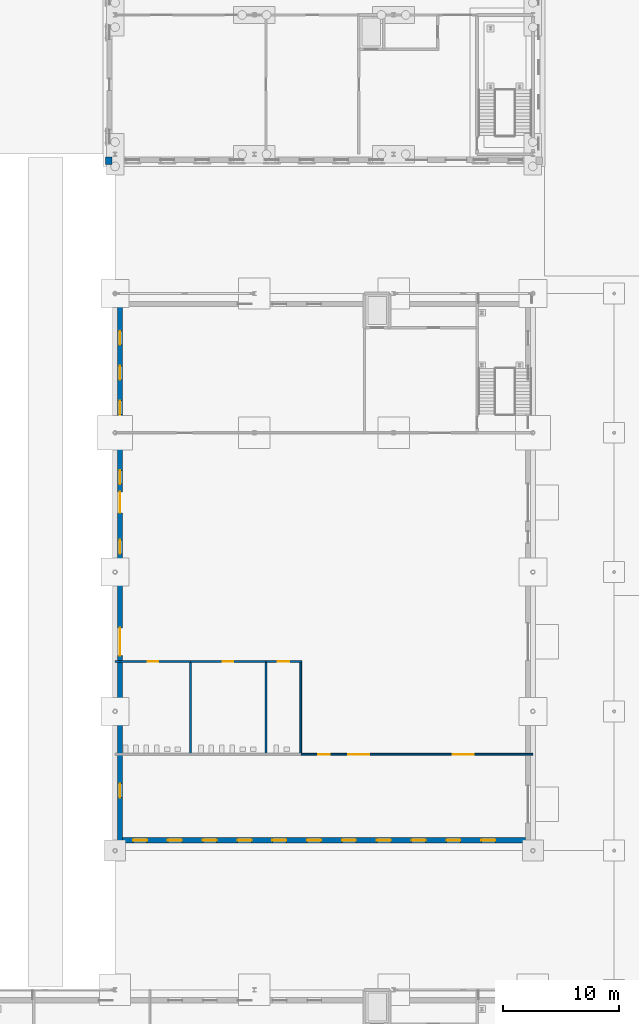
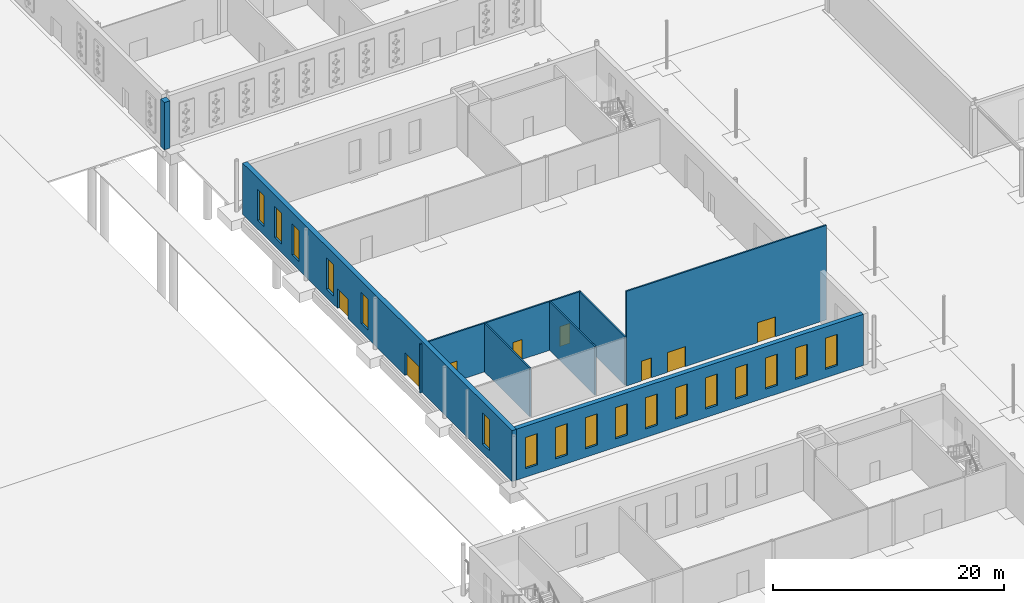
# One storey, part 77 of 132: 17 windows, 10 walls, 8 doors, 25 openings.
"""IFC4 building model written with IfcOpenShell, lengths in metres."""

from ifc_helpers import new_model, si_unit, direction, frame, frame_2d, origin, place, context, subcontext, project, spatial, rectangle, extrude, material, layer, layer_set, type_object, element, fill, save


model = new_model("IFC4")

# Units and contexts
model_context = context("Model", 3, precision=1e-05, world=origin(), true_north=direction((0.0, 1.0)))
body_context = subcontext(model_context, "Body", "Model", "MODEL_VIEW")
ifc_project = project(units=[si_unit("LENGTHUNIT", "METRE"), si_unit("AREAUNIT", "SQUARE_METRE"), si_unit("VOLUMEUNIT", "CUBIC_METRE"), si_unit("PLANEANGLEUNIT", "RADIAN"), si_unit("MASSUNIT", "GRAM", prefix="KILO")], contexts=[model_context])

# Site, building, storey
site_placement = place(None, origin())
site = spatial("IfcSite", under=ifc_project, at=site_placement, CompositionType="ELEMENT")
building_placement = place(site_placement, origin())
building = spatial("IfcBuilding", under=site, at=building_placement, Name="Ravi Spectrum Wholesale Market", CompositionType="ELEMENT")
storey_placement = place(building_placement, origin())
storey = spatial("IfcBuildingStorey", under=building, at=storey_placement, Name="L00", CompositionType="ELEMENT", Elevation=0.0)

# Wall, openings, doors
ifc_material_1 = material(Name="Concrete blockwork", Category="masonry")
ifc_layer_1 = layer(ifc_material_1, 0.14990234375)
ifc_layer_set_1 = layer_set([ifc_layer_1], Name="Concrete blockwork")
wall_type_1 = type_object("IfcWallType", Name="Blockwork partition 150", PredefinedType="PARTITIONING", material=ifc_layer_set_1)
wall_1_placement = place(storey_placement, frame((178.0, 146.300048828125, 0.0), z_axis=(0.0, 0.0, 1.0), x_axis=(1.0, 0.0, 0.0)))
wall_1 = element("IfcWall", 1, at=wall_1_placement, inside=storey, type_object=wall_type_1, Name="H3-WL-L00-008", PredefinedType="PARTITIONING", context=body_context, shape_type="SweptSolid", body=[
    extrude(rectangle(XDim=20.0, YDim=0.14990234375, at=frame_2d((10.0, 0.0))), origin(), (0.0, 0.0, 1.0), 10.0),
])
opening_1_placement = place(wall_1_placement, frame((4.10009765625, 0.0, 0.0)))
opening_1 = element("IfcOpeningElement", 2, at=opening_1_placement, cuts=wall_1, Name="Opening D353", PredefinedType="OPENING", context=body_context, shape_type="SweptSolid", body=[
    extrude(rectangle(XDim=1.800048828125, YDim=2.10009765625, at=frame_2d((0.89990234375, 1.050048828125))), frame((0.0, 0.0849609375, 0.0), z_axis=(0.0, -1.0, 0.0), x_axis=(1.0, 0.0, 0.0)), (0.0, 0.0, 1.0), 0.169921875),
])
opening_2_placement = place(wall_1_placement, frame((13.10009765625, 0.0, 0.0)))
opening_2 = element("IfcOpeningElement", 3, at=opening_2_placement, cuts=wall_1, Name="Opening D354", PredefinedType="OPENING", context=body_context, shape_type="SweptSolid", body=[
    extrude(rectangle(XDim=1.800048828125, YDim=2.10009765625, at=frame_2d((0.89990234375, 1.050048828125))), frame((0.0, 0.0849609375, 0.0), z_axis=(0.0, -1.0, 0.0), x_axis=(1.0, 0.0, 0.0)), (0.0, 0.0, 1.0), 0.169921875),
])
opening_3_placement = place(wall_1_placement, frame((1.5, 0.0, 0.0)))
opening_3 = element("IfcOpeningElement", 4, at=opening_3_placement, cuts=wall_1, Name="Opening D356", PredefinedType="OPENING", context=body_context, shape_type="SweptSolid", body=[
    extrude(rectangle(XDim=1.0, YDim=2.10009765625, at=frame_2d((0.5, 1.050048828125))), frame((0.0, 0.0849609375, 0.0), z_axis=(0.0, -1.0, 0.0), x_axis=(1.0, 0.0, 0.0)), (0.0, 0.0, 1.0), 0.169921875),
])
ifc_material_2 = material(Name="Steel door", Category="steel")
door_type_1 = type_object("IfcDoorType", Name="Double leaf door 1800 x 2100", OperationType="DOUBLE_DOOR_SINGLE_SWING", PredefinedType="DOOR", material=ifc_material_2)
door_1_placement = place(opening_1_placement, origin())
door_1 = element("IfcDoor", 5, at=door_1_placement, inside=storey, type_object=door_type_1, Name="Door D353", OperationType="DOUBLE_DOOR_SINGLE_SWING", OverallHeight=2.10009765625, OverallWidth=1.800048828125, PredefinedType="DOOR", context=body_context, shape_type="SweptSolid", body=[
    extrude(rectangle(XDim=1.800048828125, YDim=2.10009765625, at=frame_2d((0.89990234375, 1.050048828125))), frame((0.0, 0.02490234375, 0.0), z_axis=(0.0, -1.0, 0.0), x_axis=(1.0, 0.0, 0.0)), (0.0, 0.0, 1.0), 0.050048828125),
])
fill(opening_1, door_1)
door_2_placement = place(opening_2_placement, origin())
door_2 = element("IfcDoor", 6, at=door_2_placement, inside=storey, type_object=door_type_1, Name="Door D354", OperationType="DOUBLE_DOOR_SINGLE_SWING", OverallHeight=2.10009765625, OverallWidth=1.800048828125, PredefinedType="DOOR", context=body_context, shape_type="SweptSolid", body=[
    extrude(rectangle(XDim=1.800048828125, YDim=2.10009765625, at=frame_2d((0.89990234375, 1.050048828125))), frame((0.0, 0.02490234375, 0.0), z_axis=(0.0, -1.0, 0.0), x_axis=(1.0, 0.0, 0.0)), (0.0, 0.0, 1.0), 0.050048828125),
])
fill(opening_2, door_2)
ifc_material_3 = material(Name="Steel door", Category="steel")
door_type_2 = type_object("IfcDoorType", Name="Pedestrian exit door 1000 x 2100", OperationType="SINGLE_SWING_LEFT", PredefinedType="DOOR", material=ifc_material_3)
door_3_placement = place(opening_3_placement, origin())
door_3 = element("IfcDoor", 7, at=door_3_placement, inside=storey, type_object=door_type_2, Name="Door D356", OperationType="SINGLE_SWING_LEFT", OverallHeight=2.10009765625, OverallWidth=1.0, PredefinedType="DOOR", context=body_context, shape_type="SweptSolid", body=[
    extrude(rectangle(XDim=1.0, YDim=2.10009765625, at=frame_2d((0.5, 1.050048828125))), frame((0.0, 0.02490234375, 0.0), z_axis=(0.0, -1.0, 0.0), x_axis=(1.0, 0.0, 0.0)), (0.0, 0.0, 1.0), 0.050048828125),
])
fill(opening_3, door_3)

# Wall, opening, door
wall_2_placement = place(storey_placement, frame((162.0, 154.300048828125, 0.0), z_axis=(0.0, 0.0, 1.0), x_axis=(1.0, 0.0, 0.0)))
wall_2 = element("IfcWall", 8, at=wall_2_placement, inside=storey, type_object=wall_type_1, Name="H3-WL-L00-009", PredefinedType="PARTITIONING", context=body_context, shape_type="SweptSolid", body=[
    extrude(rectangle(XDim=6.5, YDim=0.14990234375, at=frame_2d((3.25, 0.0))), origin(), (0.0, 0.0, 1.0), 5.14990234375),
])
opening_4_placement = place(wall_2_placement, frame((2.800048828125, 0.0, 0.0)))
opening_4 = element("IfcOpeningElement", 9, at=opening_4_placement, cuts=wall_2, Name="Opening D350", PredefinedType="OPENING", context=body_context, shape_type="SweptSolid", body=[
    extrude(rectangle(XDim=0.89990234375, YDim=2.10009765625, at=frame_2d((0.449951171875, 1.050048828125))), frame((0.0, 0.0849609375, 0.0), z_axis=(0.0, -1.0, 0.0), x_axis=(1.0, 0.0, 0.0)), (0.0, 0.0, 1.0), 0.169921875),
])
ifc_material_4 = material(Name="Timber door", Category="wood")
door_type_3 = type_object("IfcDoorType", Name="Toilet door 900 x 2100", OperationType="SINGLE_SWING_LEFT", PredefinedType="DOOR", material=ifc_material_4)
door_4_placement = place(opening_4_placement, origin())
door_4 = element("IfcDoor", 10, at=door_4_placement, inside=storey, type_object=door_type_3, Name="Door D350", OperationType="SINGLE_SWING_RIGHT", OverallHeight=2.10009765625, OverallWidth=0.89990234375, PredefinedType="DOOR", context=body_context, shape_type="SweptSolid", body=[
    extrude(rectangle(XDim=0.89990234375, YDim=2.10009765625, at=frame_2d((0.449951171875, 1.050048828125))), frame((0.0, 0.02490234375, 0.0), z_axis=(0.0, -1.0, 0.0), x_axis=(1.0, 0.0, 0.0)), (0.0, 0.0, 1.0), 0.050048828125),
])
fill(opening_4, door_4)

wall_3_placement = place(storey_placement, frame((168.5, 154.300048828125, 0.0), z_axis=(0.0, 0.0, 1.0), x_axis=(1.0, 0.0, 0.0)))
wall_3 = element("IfcWall", 11, at=wall_3_placement, inside=storey, type_object=wall_type_1, Name="H3-WL-L00-010", PredefinedType="PARTITIONING", context=body_context, shape_type="SweptSolid", body=[
    extrude(rectangle(XDim=6.5, YDim=0.14990234375, at=frame_2d((3.25, 0.0))), origin(), (0.0, 0.0, 1.0), 5.14990234375),
])
opening_5_placement = place(wall_3_placement, frame((2.800048828125, 0.0, 0.0)))
opening_5 = element("IfcOpeningElement", 12, at=opening_5_placement, cuts=wall_3, Name="Opening D351", PredefinedType="OPENING", context=body_context, shape_type="SweptSolid", body=[
    extrude(rectangle(XDim=0.89990234375, YDim=2.10009765625, at=frame_2d((0.449951171875, 1.050048828125))), frame((0.0, 0.0849609375, 0.0), z_axis=(0.0, -1.0, 0.0), x_axis=(1.0, 0.0, 0.0)), (0.0, 0.0, 1.0), 0.169921875),
])
door_5_placement = place(opening_5_placement, origin())
door_5 = element("IfcDoor", 13, at=door_5_placement, inside=storey, type_object=door_type_3, Name="Door D351", OperationType="SINGLE_SWING_LEFT", OverallHeight=2.10009765625, OverallWidth=0.89990234375, PredefinedType="DOOR", context=body_context, shape_type="SweptSolid", body=[
    extrude(rectangle(XDim=0.89990234375, YDim=2.10009765625, at=frame_2d((0.449951171875, 1.050048828125))), frame((0.0, 0.02490234375, 0.0), z_axis=(0.0, -1.0, 0.0), x_axis=(1.0, 0.0, 0.0)), (0.0, 0.0, 1.0), 0.050048828125),
])
fill(opening_5, door_5)

wall_4_placement = place(storey_placement, frame((175.0, 154.300048828125, 0.0), z_axis=(0.0, 0.0, 1.0), x_axis=(1.0, 0.0, 0.0)))
wall_4 = element("IfcWall", 14, at=wall_4_placement, inside=storey, type_object=wall_type_1, Name="H3-WL-L00-011", PredefinedType="PARTITIONING", context=body_context, shape_type="SweptSolid", body=[
    extrude(rectangle(XDim=3.074951171875, YDim=0.14990234375, at=frame_2d((1.53759765625, 0.0))), origin(), (0.0, 0.0, 1.0), 5.14990234375),
])
opening_6_placement = place(wall_4_placement, frame((1.0, 0.0, 0.0)))
opening_6 = element("IfcOpeningElement", 15, at=opening_6_placement, cuts=wall_4, Name="Opening D352", PredefinedType="OPENING", context=body_context, shape_type="SweptSolid", body=[
    extrude(rectangle(XDim=1.0, YDim=2.10009765625, at=frame_2d((0.5, 1.050048828125))), frame((0.0, 0.0849609375, 0.0), z_axis=(0.0, -1.0, 0.0), x_axis=(1.0, 0.0, 0.0)), (0.0, 0.0, 1.0), 0.169921875),
])
ifc_material_5 = material(Name="Timber door", Category="wood")
door_type_4 = type_object("IfcDoorType", Name="Accessible toilet door 1000 x 2100", OperationType="SINGLE_SWING_LEFT", PredefinedType="DOOR", material=ifc_material_5)
door_6_placement = place(opening_6_placement, origin())
door_6 = element("IfcDoor", 16, at=door_6_placement, inside=storey, type_object=door_type_4, Name="Door D352", OperationType="SINGLE_SWING_LEFT", OverallHeight=2.10009765625, OverallWidth=1.0, PredefinedType="DOOR", context=body_context, shape_type="SweptSolid", body=[
    extrude(rectangle(XDim=1.0, YDim=2.10009765625, at=frame_2d((0.5, 1.050048828125))), frame((0.0, 0.02490234375, 0.0), z_axis=(0.0, -1.0, 0.0), x_axis=(1.0, 0.0, 0.0)), (0.0, 0.0, 1.0), 0.050048828125),
])
fill(opening_6, door_6)

# Walls
for number, where, z_axis, x_axis, name in (
    (17, (168.5, 146.375, 0.0), (0.0, 0.0, 1.0), (0.0, 1.0, 0.0), "H3-WL-L00-016"),
    (18, (175.0, 146.375, 0.0), (0.0, 0.0, 1.0), (0.0, 1.0, 0.0), "H3-WL-L00-017"),
    (19, (178.0, 146.375, 0.0), (0.0, 0.0, 1.0), (0.0, 1.0, 0.0), "H3-WL-L00-018"),
):
    element("IfcWall", number, at=place(storey_placement, frame(where, z_axis=z_axis, x_axis=x_axis)), inside=storey, type_object=wall_type_1, Name=name, PredefinedType="PARTITIONING", context=body_context, shape_type="SweptSolid", body=[
        extrude(rectangle(XDim=7.85009765625, YDim=0.14990234375, at=frame_2d((3.925048828125, 0.0))), origin(), (0.0, 0.0, 1.0), 5.14990234375),
    ])

# Wall, openings, windows
ifc_material_6 = material(Name="Clinker brickwork", Category="masonry")
ifc_layer_2 = layer(ifc_material_6, 0.4599609375)
ifc_layer_set_2 = layer_set([ifc_layer_2], Name="Clinker brickwork")
wall_type_2 = type_object("IfcWallType", Name="Brick 460 pier wall", PredefinedType="SOLIDWALL", material=ifc_layer_set_2)
wall_5_placement = place(storey_placement, frame((162.65771484375, 138.89990234375, 0.0), z_axis=(0.0, 0.0, 1.0), x_axis=(1.0, 0.0, 0.0)))
wall_5 = element("IfcWall", 20, at=wall_5_placement, inside=storey, type_object=wall_type_2, Name="Flower Hall south wall", PredefinedType="SOLIDWALL", context=body_context, shape_type="SweptSolid", body=[
    extrude(rectangle(XDim=34.6845703125, YDim=0.4599609375, at=frame_2d((17.34228515625, 0.0))), origin(), (0.0, 0.0, 1.0), 5.39990234375),
])
opening_7_placement = place(wall_5_placement, frame((0.89990234375, 0.0, 0.89990234375)))
opening_7 = element("IfcOpeningElement", 21, at=opening_7_placement, cuts=wall_5, Name="Opening W2215", PredefinedType="OPENING", context=body_context, shape_type="SweptSolid", body=[
    extrude(rectangle(XDim=1.199951171875, YDim=3.300048828125, at=frame_2d((0.60009765625, 1.64990234375))), frame((0.0, 0.239990234375, 0.0), z_axis=(0.0, -1.0, 0.0), x_axis=(1.0, 0.0, 0.0)), (0.0, 0.0, 1.0), 0.47998046875),
])
opening_8_placement = place(wall_5_placement, frame((3.89990234375, 0.0, 0.89990234375)))
opening_8 = element("IfcOpeningElement", 22, at=opening_8_placement, cuts=wall_5, Name="Opening W2216", PredefinedType="OPENING", context=body_context, shape_type="SweptSolid", body=[
    extrude(rectangle(XDim=1.199951171875, YDim=3.300048828125, at=frame_2d((0.60009765625, 1.64990234375))), frame((0.0, 0.239990234375, 0.0), z_axis=(0.0, -1.0, 0.0), x_axis=(1.0, 0.0, 0.0)), (0.0, 0.0, 1.0), 0.47998046875),
])
opening_9_placement = place(wall_5_placement, frame((6.89990234375, 0.0, 0.89990234375)))
opening_9 = element("IfcOpeningElement", 23, at=opening_9_placement, cuts=wall_5, Name="Opening W2217", PredefinedType="OPENING", context=body_context, shape_type="SweptSolid", body=[
    extrude(rectangle(XDim=1.199951171875, YDim=3.300048828125, at=frame_2d((0.60009765625, 1.64990234375))), frame((0.0, 0.239990234375, 0.0), z_axis=(0.0, -1.0, 0.0), x_axis=(1.0, 0.0, 0.0)), (0.0, 0.0, 1.0), 0.47998046875),
])
opening_10_placement = place(wall_5_placement, frame((9.89990234375, 0.0, 0.89990234375)))
opening_10 = element("IfcOpeningElement", 24, at=opening_10_placement, cuts=wall_5, Name="Opening W2218", PredefinedType="OPENING", context=body_context, shape_type="SweptSolid", body=[
    extrude(rectangle(XDim=1.199951171875, YDim=3.300048828125, at=frame_2d((0.60009765625, 1.64990234375))), frame((0.0, 0.239990234375, 0.0), z_axis=(0.0, -1.0, 0.0), x_axis=(1.0, 0.0, 0.0)), (0.0, 0.0, 1.0), 0.47998046875),
])
opening_11_placement = place(wall_5_placement, frame((12.89990234375, 0.0, 0.89990234375)))
opening_11 = element("IfcOpeningElement", 25, at=opening_11_placement, cuts=wall_5, Name="Opening W2219", PredefinedType="OPENING", context=body_context, shape_type="SweptSolid", body=[
    extrude(rectangle(XDim=1.199951171875, YDim=3.300048828125, at=frame_2d((0.60009765625, 1.64990234375))), frame((0.0, 0.239990234375, 0.0), z_axis=(0.0, -1.0, 0.0), x_axis=(1.0, 0.0, 0.0)), (0.0, 0.0, 1.0), 0.47998046875),
])
opening_12_placement = place(wall_5_placement, frame((15.89990234375, 0.0, 0.89990234375)))
opening_12 = element("IfcOpeningElement", 26, at=opening_12_placement, cuts=wall_5, Name="Opening W2220", PredefinedType="OPENING", context=body_context, shape_type="SweptSolid", body=[
    extrude(rectangle(XDim=1.199951171875, YDim=3.300048828125, at=frame_2d((0.60009765625, 1.64990234375))), frame((0.0, 0.239990234375, 0.0), z_axis=(0.0, -1.0, 0.0), x_axis=(1.0, 0.0, 0.0)), (0.0, 0.0, 1.0), 0.47998046875),
])
opening_13_placement = place(wall_5_placement, frame((18.89990234375, 0.0, 0.89990234375)))
opening_13 = element("IfcOpeningElement", 27, at=opening_13_placement, cuts=wall_5, Name="Opening W2221", PredefinedType="OPENING", context=body_context, shape_type="SweptSolid", body=[
    extrude(rectangle(XDim=1.199951171875, YDim=3.300048828125, at=frame_2d((0.60009765625, 1.64990234375))), frame((0.0, 0.239990234375, 0.0), z_axis=(0.0, -1.0, 0.0), x_axis=(1.0, 0.0, 0.0)), (0.0, 0.0, 1.0), 0.47998046875),
])
opening_14_placement = place(wall_5_placement, frame((21.89990234375, 0.0, 0.89990234375)))
opening_14 = element("IfcOpeningElement", 28, at=opening_14_placement, cuts=wall_5, Name="Opening W2222", PredefinedType="OPENING", context=body_context, shape_type="SweptSolid", body=[
    extrude(rectangle(XDim=1.199951171875, YDim=3.300048828125, at=frame_2d((0.60009765625, 1.64990234375))), frame((0.0, 0.239990234375, 0.0), z_axis=(0.0, -1.0, 0.0), x_axis=(1.0, 0.0, 0.0)), (0.0, 0.0, 1.0), 0.47998046875),
])
opening_15_placement = place(wall_5_placement, frame((24.89990234375, 0.0, 0.89990234375)))
opening_15 = element("IfcOpeningElement", 29, at=opening_15_placement, cuts=wall_5, Name="Opening W2223", PredefinedType="OPENING", context=body_context, shape_type="SweptSolid", body=[
    extrude(rectangle(XDim=1.199951171875, YDim=3.300048828125, at=frame_2d((0.60009765625, 1.64990234375))), frame((0.0, 0.239990234375, 0.0), z_axis=(0.0, -1.0, 0.0), x_axis=(1.0, 0.0, 0.0)), (0.0, 0.0, 1.0), 0.47998046875),
])
opening_16_placement = place(wall_5_placement, frame((27.89990234375, 0.0, 0.89990234375)))
opening_16 = element("IfcOpeningElement", 30, at=opening_16_placement, cuts=wall_5, Name="Opening W2224", PredefinedType="OPENING", context=body_context, shape_type="SweptSolid", body=[
    extrude(rectangle(XDim=1.199951171875, YDim=3.300048828125, at=frame_2d((0.60009765625, 1.64990234375))), frame((0.0, 0.239990234375, 0.0), z_axis=(0.0, -1.0, 0.0), x_axis=(1.0, 0.0, 0.0)), (0.0, 0.0, 1.0), 0.47998046875),
])
opening_17_placement = place(wall_5_placement, frame((30.89990234375, 0.0, 0.89990234375)))
opening_17 = element("IfcOpeningElement", 31, at=opening_17_placement, cuts=wall_5, Name="Opening W2225", PredefinedType="OPENING", context=body_context, shape_type="SweptSolid", body=[
    extrude(rectangle(XDim=1.199951171875, YDim=3.300048828125, at=frame_2d((0.60009765625, 1.64990234375))), frame((0.0, 0.239990234375, 0.0), z_axis=(0.0, -1.0, 0.0), x_axis=(1.0, 0.0, 0.0)), (0.0, 0.0, 1.0), 0.47998046875),
])
ifc_material_7 = material(Name="Steel window frame", Category="steel")
window_type = type_object("IfcWindowType", Name="Tall pier window 1200 x 3300", PartitioningType="SINGLE_PANEL", PredefinedType="WINDOW", material=ifc_material_7)
window_1_placement = place(opening_7_placement, origin())
window_1 = element("IfcWindow", 32, at=window_1_placement, inside=storey, type_object=window_type, Name="Window W2215", OverallHeight=3.300048828125, OverallWidth=1.199951171875, PartitioningType="SINGLE_PANEL", PredefinedType="WINDOW", context=body_context, shape_type="SweptSolid", body=[
    extrude(rectangle(XDim=1.199951171875, YDim=3.300048828125, at=frame_2d((0.60009765625, 1.64990234375))), frame((0.0, 0.030029296875, 0.0), z_axis=(0.0, -1.0, 0.0), x_axis=(1.0, 0.0, 0.0)), (0.0, 0.0, 1.0), 0.06005859375),
])
fill(opening_7, window_1)
window_2_placement = place(opening_8_placement, origin())
window_2 = element("IfcWindow", 33, at=window_2_placement, inside=storey, type_object=window_type, Name="Window W2216", OverallHeight=3.300048828125, OverallWidth=1.199951171875, PartitioningType="SINGLE_PANEL", PredefinedType="WINDOW", context=body_context, shape_type="SweptSolid", body=[
    extrude(rectangle(XDim=1.199951171875, YDim=3.300048828125, at=frame_2d((0.60009765625, 1.64990234375))), frame((0.0, 0.030029296875, 0.0), z_axis=(0.0, -1.0, 0.0), x_axis=(1.0, 0.0, 0.0)), (0.0, 0.0, 1.0), 0.06005859375),
])
fill(opening_8, window_2)
window_3_placement = place(opening_9_placement, origin())
window_3 = element("IfcWindow", 34, at=window_3_placement, inside=storey, type_object=window_type, Name="Window W2217", OverallHeight=3.300048828125, OverallWidth=1.199951171875, PartitioningType="SINGLE_PANEL", PredefinedType="WINDOW", context=body_context, shape_type="SweptSolid", body=[
    extrude(rectangle(XDim=1.199951171875, YDim=3.300048828125, at=frame_2d((0.60009765625, 1.64990234375))), frame((0.0, 0.030029296875, 0.0), z_axis=(0.0, -1.0, 0.0), x_axis=(1.0, 0.0, 0.0)), (0.0, 0.0, 1.0), 0.06005859375),
])
fill(opening_9, window_3)
window_4_placement = place(opening_10_placement, origin())
window_4 = element("IfcWindow", 35, at=window_4_placement, inside=storey, type_object=window_type, Name="Window W2218", OverallHeight=3.300048828125, OverallWidth=1.199951171875, PartitioningType="SINGLE_PANEL", PredefinedType="WINDOW", context=body_context, shape_type="SweptSolid", body=[
    extrude(rectangle(XDim=1.199951171875, YDim=3.300048828125, at=frame_2d((0.60009765625, 1.64990234375))), frame((0.0, 0.030029296875, 0.0), z_axis=(0.0, -1.0, 0.0), x_axis=(1.0, 0.0, 0.0)), (0.0, 0.0, 1.0), 0.06005859375),
])
fill(opening_10, window_4)
window_5_placement = place(opening_11_placement, origin())
window_5 = element("IfcWindow", 36, at=window_5_placement, inside=storey, type_object=window_type, Name="Window W2219", OverallHeight=3.300048828125, OverallWidth=1.199951171875, PartitioningType="SINGLE_PANEL", PredefinedType="WINDOW", context=body_context, shape_type="SweptSolid", body=[
    extrude(rectangle(XDim=1.199951171875, YDim=3.300048828125, at=frame_2d((0.60009765625, 1.64990234375))), frame((0.0, 0.030029296875, 0.0), z_axis=(0.0, -1.0, 0.0), x_axis=(1.0, 0.0, 0.0)), (0.0, 0.0, 1.0), 0.06005859375),
])
fill(opening_11, window_5)
window_6_placement = place(opening_12_placement, origin())
window_6 = element("IfcWindow", 37, at=window_6_placement, inside=storey, type_object=window_type, Name="Window W2220", OverallHeight=3.300048828125, OverallWidth=1.199951171875, PartitioningType="SINGLE_PANEL", PredefinedType="WINDOW", context=body_context, shape_type="SweptSolid", body=[
    extrude(rectangle(XDim=1.199951171875, YDim=3.300048828125, at=frame_2d((0.60009765625, 1.64990234375))), frame((0.0, 0.030029296875, 0.0), z_axis=(0.0, -1.0, 0.0), x_axis=(1.0, 0.0, 0.0)), (0.0, 0.0, 1.0), 0.06005859375),
])
fill(opening_12, window_6)
window_7_placement = place(opening_13_placement, origin())
window_7 = element("IfcWindow", 38, at=window_7_placement, inside=storey, type_object=window_type, Name="Window W2221", OverallHeight=3.300048828125, OverallWidth=1.199951171875, PartitioningType="SINGLE_PANEL", PredefinedType="WINDOW", context=body_context, shape_type="SweptSolid", body=[
    extrude(rectangle(XDim=1.199951171875, YDim=3.300048828125, at=frame_2d((0.60009765625, 1.64990234375))), frame((0.0, 0.030029296875, 0.0), z_axis=(0.0, -1.0, 0.0), x_axis=(1.0, 0.0, 0.0)), (0.0, 0.0, 1.0), 0.06005859375),
])
fill(opening_13, window_7)
window_8_placement = place(opening_14_placement, origin())
window_8 = element("IfcWindow", 39, at=window_8_placement, inside=storey, type_object=window_type, Name="Window W2222", OverallHeight=3.300048828125, OverallWidth=1.199951171875, PartitioningType="SINGLE_PANEL", PredefinedType="WINDOW", context=body_context, shape_type="SweptSolid", body=[
    extrude(rectangle(XDim=1.199951171875, YDim=3.300048828125, at=frame_2d((0.60009765625, 1.64990234375))), frame((0.0, 0.030029296875, 0.0), z_axis=(0.0, -1.0, 0.0), x_axis=(1.0, 0.0, 0.0)), (0.0, 0.0, 1.0), 0.06005859375),
])
fill(opening_14, window_8)
window_9_placement = place(opening_15_placement, origin())
window_9 = element("IfcWindow", 40, at=window_9_placement, inside=storey, type_object=window_type, Name="Window W2223", OverallHeight=3.300048828125, OverallWidth=1.199951171875, PartitioningType="SINGLE_PANEL", PredefinedType="WINDOW", context=body_context, shape_type="SweptSolid", body=[
    extrude(rectangle(XDim=1.199951171875, YDim=3.300048828125, at=frame_2d((0.60009765625, 1.64990234375))), frame((0.0, 0.030029296875, 0.0), z_axis=(0.0, -1.0, 0.0), x_axis=(1.0, 0.0, 0.0)), (0.0, 0.0, 1.0), 0.06005859375),
])
fill(opening_15, window_9)
window_10_placement = place(opening_16_placement, origin())
window_10 = element("IfcWindow", 41, at=window_10_placement, inside=storey, type_object=window_type, Name="Window W2224", OverallHeight=3.300048828125, OverallWidth=1.199951171875, PartitioningType="SINGLE_PANEL", PredefinedType="WINDOW", context=body_context, shape_type="SweptSolid", body=[
    extrude(rectangle(XDim=1.199951171875, YDim=3.300048828125, at=frame_2d((0.60009765625, 1.64990234375))), frame((0.0, 0.030029296875, 0.0), z_axis=(0.0, -1.0, 0.0), x_axis=(1.0, 0.0, 0.0)), (0.0, 0.0, 1.0), 0.06005859375),
])
fill(opening_16, window_10)
window_11_placement = place(opening_17_placement, origin())
window_11 = element("IfcWindow", 42, at=window_11_placement, inside=storey, type_object=window_type, Name="Window W2225", OverallHeight=3.300048828125, OverallWidth=1.199951171875, PartitioningType="SINGLE_PANEL", PredefinedType="WINDOW", context=body_context, shape_type="SweptSolid", body=[
    extrude(rectangle(XDim=1.199951171875, YDim=3.300048828125, at=frame_2d((0.60009765625, 1.64990234375))), frame((0.0, 0.030029296875, 0.0), z_axis=(0.0, -1.0, 0.0), x_axis=(1.0, 0.0, 0.0)), (0.0, 0.0, 1.0), 0.06005859375),
])
fill(opening_17, window_11)

# Wall, openings, doors, windows
wall_6_placement = place(storey_placement, frame((162.427734375, 138.669921875, 0.0), z_axis=(0.0, 0.0, 1.0), x_axis=(0.0, 1.0, 0.0)))
wall_6 = element("IfcWall", 43, at=wall_6_placement, inside=storey, type_object=wall_type_2, Name="Flower Hall west wall", PredefinedType="SOLIDWALL", context=body_context, shape_type="SweptSolid", body=[
    extrude(rectangle(XDim=46.66015625, YDim=0.4599609375, at=frame_2d((23.330078125, 0.0))), origin(), (0.0, 0.0, 1.0), 5.39990234375),
])
opening_18_placement = place(wall_6_placement, frame((16.1298828125, 0.0, 0.0)))
opening_18 = element("IfcOpeningElement", 44, at=opening_18_placement, cuts=wall_6, Name="Opening D365", PredefinedType="OPENING", context=body_context, shape_type="SweptSolid", body=[
    extrude(rectangle(XDim=2.39990234375, YDim=2.39990234375, at=frame_2d((1.199951171875, 1.199951171875))), frame((0.0, 0.239990234375, 0.0), z_axis=(0.0, -1.0, 0.0), x_axis=(1.0, 0.0, 0.0)), (0.0, 0.0, 1.0), 0.47998046875),
])
opening_19_placement = place(wall_6_placement, frame((28.429931640625, 0.0, 0.0)))
opening_19 = element("IfcOpeningElement", 45, at=opening_19_placement, cuts=wall_6, Name="Opening D366", PredefinedType="OPENING", context=body_context, shape_type="SweptSolid", body=[
    extrude(rectangle(XDim=1.800048828125, YDim=2.10009765625, at=frame_2d((0.89990234375, 1.050048828125))), frame((0.0, 0.239990234375, 0.0), z_axis=(0.0, -1.0, 0.0), x_axis=(1.0, 0.0, 0.0)), (0.0, 0.0, 1.0), 0.47998046875),
])
opening_20_placement = place(wall_6_placement, frame((3.89990234375, 0.0, 0.89990234375)))
opening_20 = element("IfcOpeningElement", 46, at=opening_20_placement, cuts=wall_6, Name="Opening W2201", PredefinedType="OPENING", context=body_context, shape_type="SweptSolid", body=[
    extrude(rectangle(XDim=1.199951171875, YDim=3.300048828125, at=frame_2d((0.60009765625, 1.64990234375))), frame((0.0, 0.239990234375, 0.0), z_axis=(0.0, -1.0, 0.0), x_axis=(1.0, 0.0, 0.0)), (0.0, 0.0, 1.0), 0.47998046875),
])
opening_21_placement = place(wall_6_placement, frame((24.89990234375, 0.0, 0.89990234375)))
opening_21 = element("IfcOpeningElement", 47, at=opening_21_placement, cuts=wall_6, Name="Opening W2205", PredefinedType="OPENING", context=body_context, shape_type="SweptSolid", body=[
    extrude(rectangle(XDim=1.199951171875, YDim=3.300048828125, at=frame_2d((0.60009765625, 1.64990234375))), frame((0.0, 0.239990234375, 0.0), z_axis=(0.0, -1.0, 0.0), x_axis=(1.0, 0.0, 0.0)), (0.0, 0.0, 1.0), 0.47998046875),
])
opening_22_placement = place(wall_6_placement, frame((30.89990234375, 0.0, 0.89990234375)))
opening_22 = element("IfcOpeningElement", 48, at=opening_22_placement, cuts=wall_6, Name="Opening W2206", PredefinedType="OPENING", context=body_context, shape_type="SweptSolid", body=[
    extrude(rectangle(XDim=1.199951171875, YDim=3.300048828125, at=frame_2d((0.60009765625, 1.64990234375))), frame((0.0, 0.239990234375, 0.0), z_axis=(0.0, -1.0, 0.0), x_axis=(1.0, 0.0, 0.0)), (0.0, 0.0, 1.0), 0.47998046875),
])
opening_23_placement = place(wall_6_placement, frame((36.89990234375, 0.0, 0.89990234375)))
opening_23 = element("IfcOpeningElement", 49, at=opening_23_placement, cuts=wall_6, Name="Opening W2207", PredefinedType="OPENING", context=body_context, shape_type="SweptSolid", body=[
    extrude(rectangle(XDim=1.199951171875, YDim=3.300048828125, at=frame_2d((0.60009765625, 1.64990234375))), frame((0.0, 0.239990234375, 0.0), z_axis=(0.0, -1.0, 0.0), x_axis=(1.0, 0.0, 0.0)), (0.0, 0.0, 1.0), 0.47998046875),
])
opening_24_placement = place(wall_6_placement, frame((39.89990234375, 0.0, 0.89990234375)))
opening_24 = element("IfcOpeningElement", 50, at=opening_24_placement, cuts=wall_6, Name="Opening W2208", PredefinedType="OPENING", context=body_context, shape_type="SweptSolid", body=[
    extrude(rectangle(XDim=1.199951171875, YDim=3.300048828125, at=frame_2d((0.60009765625, 1.64990234375))), frame((0.0, 0.239990234375, 0.0), z_axis=(0.0, -1.0, 0.0), x_axis=(1.0, 0.0, 0.0)), (0.0, 0.0, 1.0), 0.47998046875),
])
opening_25_placement = place(wall_6_placement, frame((42.89990234375, 0.0, 0.89990234375)))
opening_25 = element("IfcOpeningElement", 51, at=opening_25_placement, cuts=wall_6, Name="Opening W2209", PredefinedType="OPENING", context=body_context, shape_type="SweptSolid", body=[
    extrude(rectangle(XDim=1.199951171875, YDim=3.300048828125, at=frame_2d((0.60009765625, 1.64990234375))), frame((0.0, 0.239990234375, 0.0), z_axis=(0.0, -1.0, 0.0), x_axis=(1.0, 0.0, 0.0)), (0.0, 0.0, 1.0), 0.47998046875),
])
door_7_placement = place(opening_19_placement, origin())
door_7 = element("IfcDoor", 52, at=door_7_placement, inside=storey, type_object=door_type_1, Name="Door D366", OperationType="DOUBLE_DOOR_SINGLE_SWING", OverallHeight=2.10009765625, OverallWidth=1.800048828125, PredefinedType="DOOR", context=body_context, shape_type="SweptSolid", body=[
    extrude(rectangle(XDim=1.800048828125, YDim=2.10009765625, at=frame_2d((0.89990234375, 1.050048828125))), frame((0.0, 0.02490234375, 0.0), z_axis=(0.0, -1.0, 0.0), x_axis=(1.0, 0.0, 0.0)), (0.0, 0.0, 1.0), 0.050048828125),
])
fill(opening_19, door_7)
ifc_material_8 = material(Name="Aluminium glazed door", Category="aluminium")
door_type_5 = type_object("IfcDoorType", Name="Hall entrance sliding door 2400 x 2400", OperationType="SLIDING_TO_LEFT", PredefinedType="DOOR", material=ifc_material_8)
door_8_placement = place(opening_18_placement, origin())
door_8 = element("IfcDoor", 53, at=door_8_placement, inside=storey, type_object=door_type_5, Name="Door D365", OperationType="SLIDING_TO_LEFT", OverallHeight=2.39990234375, OverallWidth=2.39990234375, PredefinedType="DOOR", context=body_context, shape_type="SweptSolid", body=[
    extrude(rectangle(XDim=2.39990234375, YDim=2.39990234375, at=frame_2d((1.199951171875, 1.199951171875))), frame((0.0, 0.02490234375, 0.0), z_axis=(0.0, -1.0, 0.0), x_axis=(1.0, 0.0, 0.0)), (0.0, 0.0, 1.0), 0.050048828125),
])
fill(opening_18, door_8)
window_12_placement = place(opening_20_placement, origin())
window_12 = element("IfcWindow", 54, at=window_12_placement, inside=storey, type_object=window_type, Name="Window W2201", OverallHeight=3.300048828125, OverallWidth=1.199951171875, PartitioningType="SINGLE_PANEL", PredefinedType="WINDOW", context=body_context, shape_type="SweptSolid", body=[
    extrude(rectangle(XDim=1.199951171875, YDim=3.300048828125, at=frame_2d((0.60009765625, 1.64990234375))), frame((0.0, 0.030029296875, 0.0), z_axis=(0.0, -1.0, 0.0), x_axis=(1.0, 0.0, 0.0)), (0.0, 0.0, 1.0), 0.06005859375),
])
fill(opening_20, window_12)
window_13_placement = place(opening_21_placement, origin())
window_13 = element("IfcWindow", 55, at=window_13_placement, inside=storey, type_object=window_type, Name="Window W2205", OverallHeight=3.300048828125, OverallWidth=1.199951171875, PartitioningType="SINGLE_PANEL", PredefinedType="WINDOW", context=body_context, shape_type="SweptSolid", body=[
    extrude(rectangle(XDim=1.199951171875, YDim=3.300048828125, at=frame_2d((0.60009765625, 1.64990234375))), frame((0.0, 0.030029296875, 0.0), z_axis=(0.0, -1.0, 0.0), x_axis=(1.0, 0.0, 0.0)), (0.0, 0.0, 1.0), 0.06005859375),
])
fill(opening_21, window_13)
window_14_placement = place(opening_22_placement, origin())
window_14 = element("IfcWindow", 56, at=window_14_placement, inside=storey, type_object=window_type, Name="Window W2206", OverallHeight=3.300048828125, OverallWidth=1.199951171875, PartitioningType="SINGLE_PANEL", PredefinedType="WINDOW", context=body_context, shape_type="SweptSolid", body=[
    extrude(rectangle(XDim=1.199951171875, YDim=3.300048828125, at=frame_2d((0.60009765625, 1.64990234375))), frame((0.0, 0.030029296875, 0.0), z_axis=(0.0, -1.0, 0.0), x_axis=(1.0, 0.0, 0.0)), (0.0, 0.0, 1.0), 0.06005859375),
])
fill(opening_22, window_14)
window_15_placement = place(opening_23_placement, origin())
window_15 = element("IfcWindow", 57, at=window_15_placement, inside=storey, type_object=window_type, Name="Window W2207", OverallHeight=3.300048828125, OverallWidth=1.199951171875, PartitioningType="SINGLE_PANEL", PredefinedType="WINDOW", context=body_context, shape_type="SweptSolid", body=[
    extrude(rectangle(XDim=1.199951171875, YDim=3.300048828125, at=frame_2d((0.60009765625, 1.64990234375))), frame((0.0, 0.030029296875, 0.0), z_axis=(0.0, -1.0, 0.0), x_axis=(1.0, 0.0, 0.0)), (0.0, 0.0, 1.0), 0.06005859375),
])
fill(opening_23, window_15)
window_16_placement = place(opening_24_placement, origin())
window_16 = element("IfcWindow", 58, at=window_16_placement, inside=storey, type_object=window_type, Name="Window W2208", OverallHeight=3.300048828125, OverallWidth=1.199951171875, PartitioningType="SINGLE_PANEL", PredefinedType="WINDOW", context=body_context, shape_type="SweptSolid", body=[
    extrude(rectangle(XDim=1.199951171875, YDim=3.300048828125, at=frame_2d((0.60009765625, 1.64990234375))), frame((0.0, 0.030029296875, 0.0), z_axis=(0.0, -1.0, 0.0), x_axis=(1.0, 0.0, 0.0)), (0.0, 0.0, 1.0), 0.06005859375),
])
fill(opening_24, window_16)
window_17_placement = place(opening_25_placement, origin())
window_17 = element("IfcWindow", 59, at=window_17_placement, inside=storey, type_object=window_type, Name="Window W2209", OverallHeight=3.300048828125, OverallWidth=1.199951171875, PartitioningType="SINGLE_PANEL", PredefinedType="WINDOW", context=body_context, shape_type="SweptSolid", body=[
    extrude(rectangle(XDim=1.199951171875, YDim=3.300048828125, at=frame_2d((0.60009765625, 1.64990234375))), frame((0.0, 0.030029296875, 0.0), z_axis=(0.0, -1.0, 0.0), x_axis=(1.0, 0.0, 0.0)), (0.0, 0.0, 1.0), 0.06005859375),
])
fill(opening_25, window_17)

# Wall
ifc_material_9 = material(Name="Clinker brickwork", Category="masonry")
ifc_layer_3 = layer(ifc_material_9, 0.64501953125)
ifc_layer_set_3 = layer_set([ifc_layer_3], Name="Clinker brickwork")
wall_type_3 = type_object("IfcWallType", Name="Brick pier 645", PredefinedType="SOLIDWALL", material=ifc_layer_set_3)
wall_7_placement = place(storey_placement, frame((161.75, 197.427490234375, 0.0), z_axis=(0.0, 0.0, 1.0), x_axis=(-1.0, 0.0, 0.0)))
element("IfcWall", 60, at=wall_7_placement, inside=storey, type_object=wall_type_3, Name="AU-WL-L00-005", PredefinedType="SOLIDWALL", context=body_context, shape_type="SweptSolid", body=[
    extrude(rectangle(XDim=0.574951171875, YDim=0.64501953125, at=frame_2d((0.28759765625, 0.0))), origin(), (0.0, 0.0, 1.0), 5.010009765625),
])

save(model, "model.ifc")
